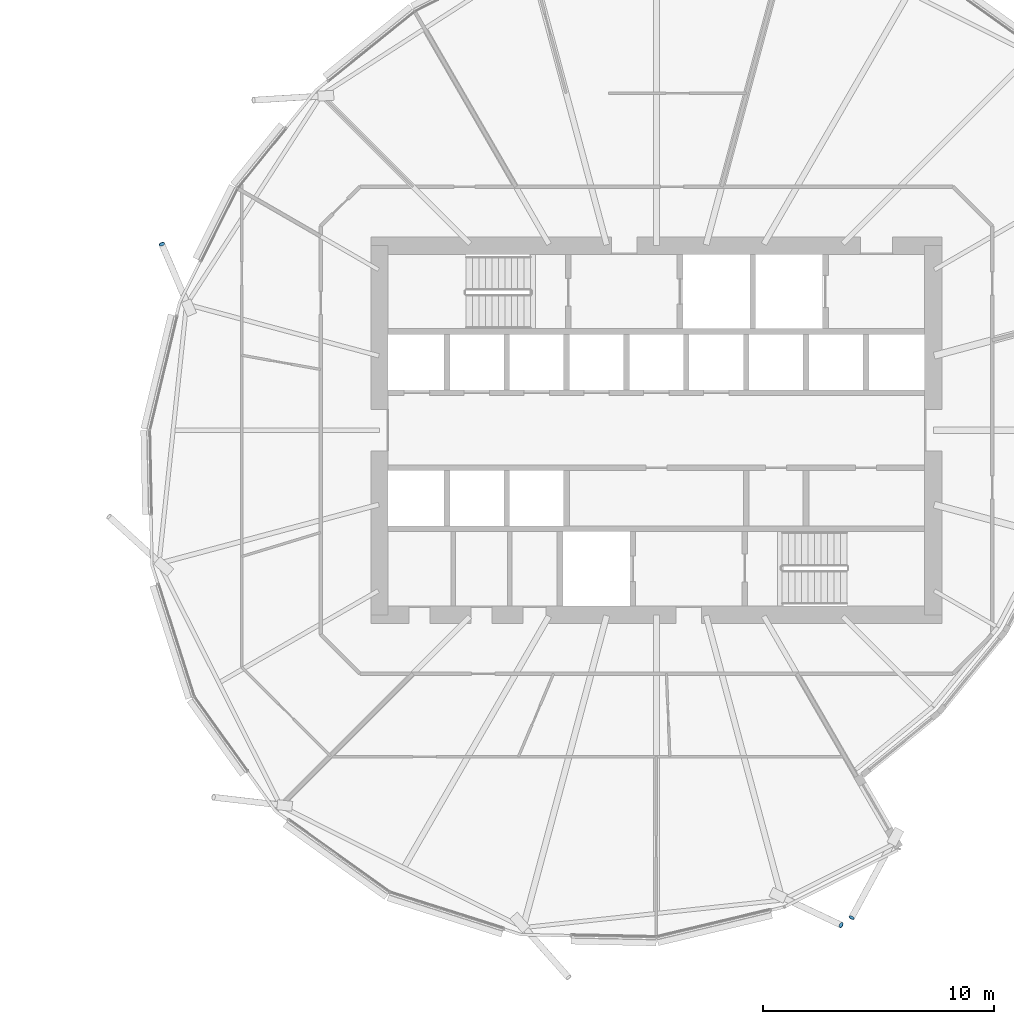
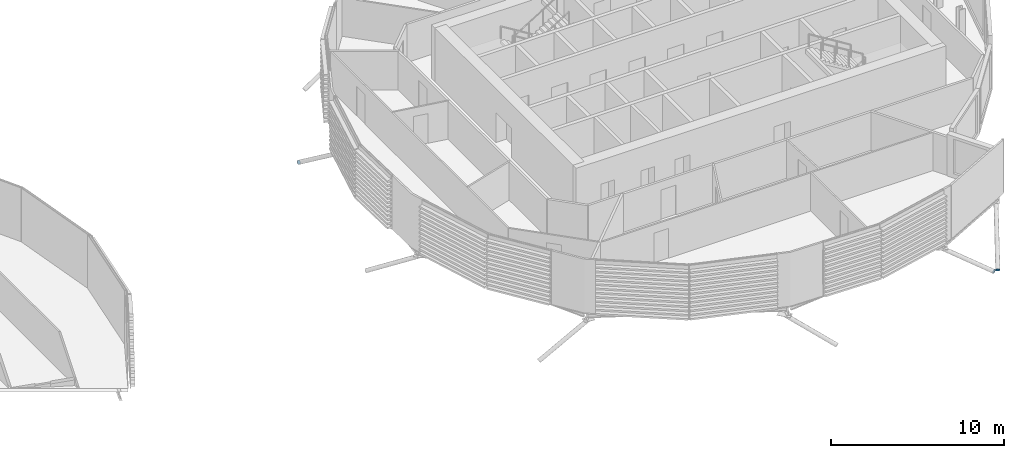
# One storey, part 32 of 39: 3 discrete accessories.
"""IFC4 building model written with IfcOpenShell, lengths in metres."""

from ifc_helpers import new_model, si_unit, direction, frame, origin, origin_2d, place, context, subcontext, project, spatial, circle, extrude, material, material_profile, profile_set, type_object, element, save


model = new_model("IFC4")

# Units and contexts
model_context = context("Model", 3, precision=1e-05, world=origin(), true_north=direction((0.0, 1.0)))
body_context = subcontext(model_context, "Body", "Model", "MODEL_VIEW")
ifc_project = project(units=[si_unit("LENGTHUNIT", "METRE"), si_unit("AREAUNIT", "SQUARE_METRE"), si_unit("VOLUMEUNIT", "CUBIC_METRE"), si_unit("PLANEANGLEUNIT", "RADIAN"), si_unit("MASSUNIT", "GRAM", prefix="KILO")], contexts=[model_context])

# Site, building, storey
site_placement = place(None, origin())
site = spatial("IfcSite", under=ifc_project, at=site_placement, CompositionType="ELEMENT")
building_placement = place(site_placement, origin())
building = spatial("IfcBuilding", under=site, at=building_placement, Name="Rimbun Link Towers", CompositionType="ELEMENT")
storey_placement = place(building_placement, frame((0.0, 0.0, 112.0)))
storey = spatial("IfcBuildingStorey", under=building, at=storey_placement, Name="L27", CompositionType="ELEMENT", Elevation=112.0)

# Discrete accessories
ifc_material = material(Name="Steel S355J2H", Category="steel")
ifc_material_profile = material_profile(ifc_material, circle(Radius=0.1240234375, at=origin_2d()), Name="PL D248")
ifc_profile_set = profile_set([ifc_material_profile], Name="Steel S355J2H")
discrete_accessory_type = type_object("IfcDiscreteAccessoryType", Name="Link foot sealing plate D248X20", PredefinedType="BRACKET", material=ifc_profile_set)
for number, where, z_axis, x_axis, name in (
    (1, (10.319091796875, 8.055908203125, -2.55908203125), (-0.329292779969, 0.768349819928, -0.548821299948), (-0.919145030018, -0.393919298579, 0.0), "Link foot sealing plate T2 L27 08"),
    (2, (39.751220703125, -21.445068359375, -2.6845703125), (0.768635696271, -0.366016998224, -0.524624364121), (0.429933580392, 0.902860518824, 0.0), "Link foot sealing plate T2 L27 16"),
    (3, (40.214599609375, -21.119384765625, -2.914306640625), (-0.425533880576, -0.77811909591, -0.462008213197), (0.877371139552, -0.479812341943, 0.0), "Link foot sealing plate T2 L27 17"),
):
    element("IfcDiscreteAccessory", number, at=place(storey_placement, frame(where, z_axis=z_axis, x_axis=x_axis)), inside=storey, type_object=discrete_accessory_type, Name=name, PredefinedType="BRACKET", context=body_context, shape_type="SweptSolid", body=[
        extrude(circle(Radius=0.1240234375, at=origin_2d()), origin(), (0.0, 0.0, 1.0), 0.02001953125),
    ])

save(model, "model.ifc")
